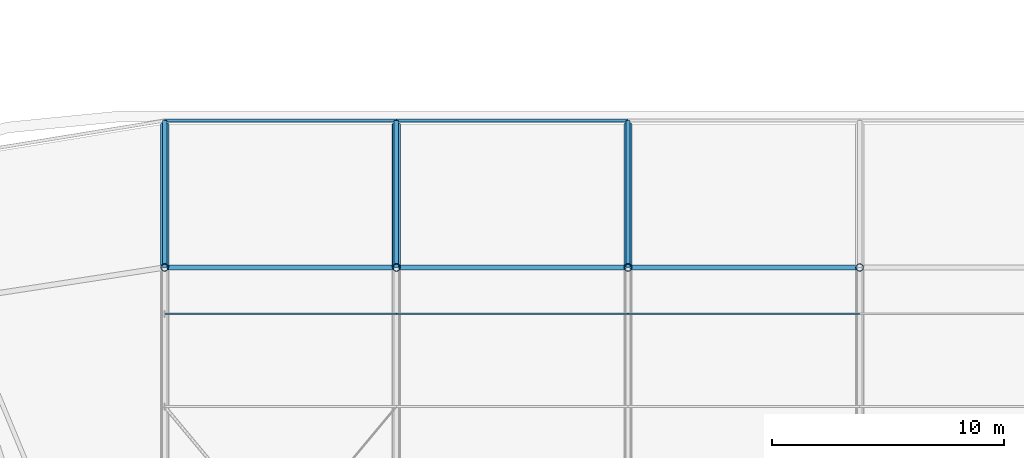
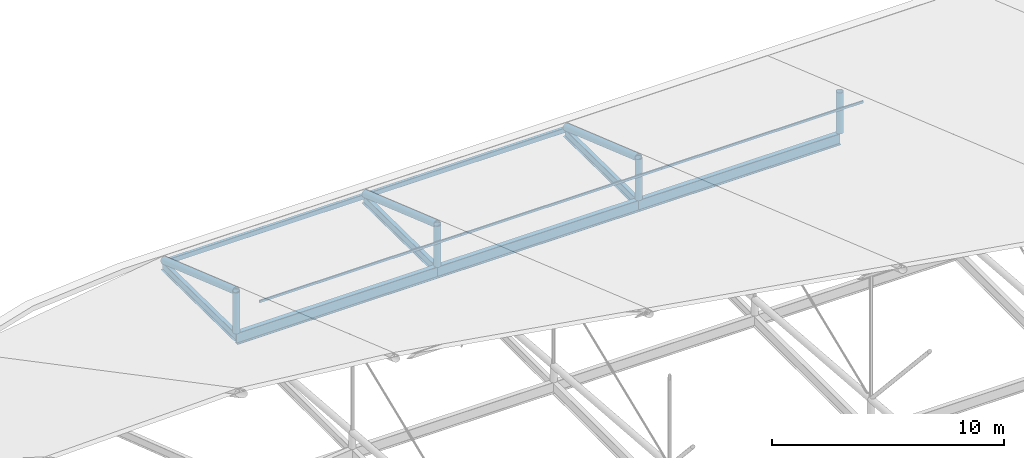
# One storey, part 52 of 93: 10 members, 8 beams.
"""IFC4 building model written with IfcOpenShell, lengths in metres."""

import ifcopenshell
import ifcopenshell.guid

model = None  # the IFC model being written
_history = None  # IfcOwnerHistory: only IFC2X3 demands one
_inside = {}  # id of a spatial element -> (the spatial element, [elements in it])
_under = {}  # id of a project, library or spatial element -> (it, [spatial elements below it])
_declared = {}  # id of a project -> (the project, [libraries it declares])
_typed = {}  # id of a type object -> (the type object, [elements of that type])
_made_of = {}  # id of a material, layer set ... -> (it, [elements and type objects made of it])


def new_model(schema):
    """Start an empty IFC model of exactly this schema.

    Asked for "IFC4X3", IfcOpenShell would pick the latest addendum, in which some entities
    have other attributes; the version numbers below select the first issue.
    IFC2X3 requires an IfcOwnerHistory on every rooted entity: one is made here for all.
    """
    global model, _history
    if schema == "IFC4X3":
        model = ifcopenshell.file(schema_version=(4, 3, 0, 0))
    else:
        model = ifcopenshell.file(schema=schema)
    _inside.clear()
    _under.clear()
    _declared.clear()
    _typed.clear()
    _made_of.clear()
    _history = None
    if model.schema == "IFC2X3":
        org = make("IfcOrganization", Name="unknown")
        user = make(
            "IfcPersonAndOrganization",
            ThePerson=make("IfcPerson", FamilyName="unknown"),
            TheOrganization=org,
        )
        app = make(
            "IfcApplication",
            ApplicationDeveloper=org,
            Version="unknown",
            ApplicationFullName="unknown",
            ApplicationIdentifier="unknown",
        )
        _history = make(
            "IfcOwnerHistory",
            OwningUser=user,
            OwningApplication=app,
            ChangeAction="ADDED",
            CreationDate=0,
        )
    return model


def make(cls, **values):
    """One entity of the class cls with the attributes given. An attribute that is None is left unset."""
    return model.create_entity(
        cls, **{name: value for name, value in values.items() if value is not None}
    )


def rooted(cls, **values):
    """An entity with a GlobalId (a new one), such as an element, a storey or a relation."""
    return make(cls, GlobalId=ifcopenshell.guid.new(), OwnerHistory=_history, **values)


def si_unit(unit_type, name, prefix=None):
    """IfcSIUnit, for example si_unit("LENGTHUNIT", "METRE", prefix="MILLI")."""
    return make("IfcSIUnit", UnitType=unit_type, Prefix=prefix, Name=name)


def derived_unit(unit_type, elements):
    """IfcDerivedUnit: a product of units, each with its exponent."""
    return make(
        "IfcDerivedUnit",
        Elements=[
            make("IfcDerivedUnitElement", Unit=unit, Exponent=power)
            for unit, power in elements
        ],
        UnitType=unit_type,
    )


def assignment(units):
    """IfcUnitAssignment: the units of a project."""
    return None if units is None else make("IfcUnitAssignment", Units=units)


def point(xyz):
    """IfcCartesianPoint."""
    return None if xyz is None else make("IfcCartesianPoint", Coordinates=xyz)


def direction(xyz):
    """IfcDirection."""
    return None if xyz is None else make("IfcDirection", DirectionRatios=xyz)


def frame(location, z_axis=None, x_axis=None):
    """IfcAxis2Placement3D, a coordinate frame: its origin and axes. An axis left out is left unset."""
    return make(
        "IfcAxis2Placement3D",
        Location=point(location),
        Axis=direction(z_axis),
        RefDirection=direction(x_axis),
    )


def frame_2d(location, x_axis=None):
    """IfcAxis2Placement2D, a coordinate frame in the plane: its origin and x axis."""
    return make(
        "IfcAxis2Placement2D", Location=point(location), RefDirection=direction(x_axis)
    )


def origin():
    """The frame at (0, 0, 0) with its axes left unset."""
    return frame((0.0, 0.0, 0.0))


def origin_2d_with_axis():
    """The frame at (0, 0) in the plane with the x axis (1, 0) written out."""
    return frame_2d((0.0, 0.0), x_axis=(1.0, 0.0))


def place(relative_to, where):
    """IfcLocalPlacement: puts the frame where relative to a parent placement (None: the world)."""
    return make(
        "IfcLocalPlacement", PlacementRelTo=relative_to, RelativePlacement=where
    )


def context(
    kind, dimensions, precision=None, world=None, true_north=None, identifier=None
):
    """IfcGeometricRepresentationContext, for example the 3D "Model" context."""
    return make(
        "IfcGeometricRepresentationContext",
        ContextIdentifier=identifier,
        ContextType=kind,
        CoordinateSpaceDimension=dimensions,
        Precision=precision,
        WorldCoordinateSystem=world,
        TrueNorth=true_north,
    )


def subcontext(parent, identifier, kind, view, scale=None):
    """IfcGeometricRepresentationSubContext, for example "Body" below "Model"."""
    return make(
        "IfcGeometricRepresentationSubContext",
        ContextIdentifier=identifier,
        ContextType=kind,
        ParentContext=parent,
        TargetScale=scale,
        TargetView=view,
    )


def project(units=None, contexts=None):
    """IfcProject with its units and contexts."""
    return rooted(
        "IfcProject",
        Name="project",
        RepresentationContexts=contexts,
        UnitsInContext=assignment(units),
    )


def spatial(cls, under=None, at=None, **own):
    """A site, building, storey or space (cls), placed at a placement, below another one or the project."""
    s = rooted(cls, ObjectPlacement=at, **own)
    if under is not None:
        _under.setdefault(under.id(), (under, []))[1].append(s)
    return s


def profile(cls, at=None, kind="AREA", **sizes):
    """A parametric profile (cls). Its sizes go by their IFC names, for example OverallWidth=200.0."""
    return make(cls, ProfileType=kind, Position=at, **sizes)


def hollow_rectangle(**sizes):
    """IfcRectangleHollowProfileDef."""
    return profile("IfcRectangleHollowProfileDef", **sizes)


def hollow_circle(**sizes):
    """IfcCircleHollowProfileDef."""
    return profile("IfcCircleHollowProfileDef", **sizes)


def i_section(**sizes):
    """IfcIShapeProfileDef."""
    return profile("IfcIShapeProfileDef", **sizes)


def extrude(swept, where, along, depth):
    """IfcExtrudedAreaSolid: the profile swept, set in the frame where, extruded along a direction by depth."""
    return make(
        "IfcExtrudedAreaSolid",
        SweptArea=swept,
        Position=where,
        ExtrudedDirection=direction(along),
        Depth=depth,
    )


def shape(context_of_items, identifier, shape_type, items):
    """IfcShapeRepresentation: the items that make up one representation, for example the "Body"."""
    return make(
        "IfcShapeRepresentation",
        ContextOfItems=context_of_items,
        RepresentationIdentifier=identifier,
        RepresentationType=shape_type,
        Items=items,
    )


def material(Name=None, Category=None):
    """IfcMaterial."""
    return make("IfcMaterial", Name=Name, Category=Category)


def material_profile(
    of_material, cross_section, Name=None, Category=None, Priority=None
):
    """IfcMaterialProfile: a cross section and its material."""
    return make(
        "IfcMaterialProfile",
        Name=Name,
        Material=of_material,
        Profile=cross_section,
        Priority=Priority,
        Category=Category,
    )


def profile_set(profiles, Name=None, composite=None):
    """IfcMaterialProfileSet."""
    return make(
        "IfcMaterialProfileSet",
        Name=Name,
        MaterialProfiles=profiles,
        CompositeProfile=composite,
    )


def made_of(thing, what):
    """Note that an element or type object is made of a material, layer set ...; save() writes the relation."""
    if what is not None:
        _made_of.setdefault(what.id(), (what, []))[1].append(thing)
    return thing


def type_object(cls, material=None, **own):
    """A type object (cls), such as IfcWallType, which elements share."""
    return made_of(rooted(cls, **own), material)


def element(
    cls,
    number,
    at=None,
    inside=None,
    cuts=None,
    type_object=None,
    material=None,
    context=None,
    identifier="Body",
    shape_type=None,
    held_by="IfcProductDefinitionShape",
    body=None,
    shapes=None,
    **own,
):
    """One element of the class cls, such as IfcWall. Its Tag is "e" and its number.

    at: its placement. inside: the storey or other place that contains it. cuts: it is an
    opening in that element (IfcRelVoidsElement). A single representation is given by context,
    identifier, shape_type and body (its items); several are given by shapes. held_by: the class
    of the entity that holds the representations. save() writes the other relations.
    """
    e = rooted(cls, Tag="e%d" % number, ObjectPlacement=at, **own)
    if body is not None:
        shapes = [shape(context, identifier, shape_type, body)]
    if shapes is not None:
        e.Representation = make(held_by, Representations=shapes)
    if inside is not None:
        _inside.setdefault(inside.id(), (inside, []))[1].append(e)
    if cuts is not None:
        rooted(
            "IfcRelVoidsElement", RelatingBuildingElement=cuts, RelatedOpeningElement=e
        )
    if type_object is not None:
        _typed.setdefault(type_object.id(), (type_object, []))[1].append(e)
    return made_of(e, material)


def aggregate(whole, parts):
    """IfcRelAggregates: a whole, such as a stair, and the parts it consists of."""
    return rooted("IfcRelAggregates", RelatingObject=whole, RelatedObjects=parts)


def save(model, path):
    """Write the relations noted so far, then the file.

    IfcRelAggregates (storeys below a building ...), IfcRelContainedInSpatialStructure (elements
    in a storey), IfcRelDefinesByType, IfcRelAssociatesMaterial and IfcRelDeclares: one each for
    every whole, place, type object, material and project.
    """
    for whole, parts in _under.values():
        aggregate(whole, parts)
    for where, things in _inside.values():
        rooted(
            "IfcRelContainedInSpatialStructure",
            RelatedElements=things,
            RelatingStructure=where,
        )
    for kind, things in _typed.values():
        rooted("IfcRelDefinesByType", RelatedObjects=things, RelatingType=kind)
    for what, things in _made_of.values():
        rooted("IfcRelAssociatesMaterial", RelatedObjects=things, RelatingMaterial=what)
    for by, libraries in _declared.values():
        rooted("IfcRelDeclares", RelatingContext=by, RelatedDefinitions=libraries)
    model.write(path)


model = new_model("IFC4")

# Units and contexts
model_context = context("Model", 3, precision=1e-05, world=origin(), true_north=direction((0.0, 1.0)))
body_context = subcontext(model_context, "Body", "Model", "MODEL_VIEW")
ifc_project = project(units=[si_unit("LENGTHUNIT", "METRE"), si_unit("AREAUNIT", "SQUARE_METRE"), si_unit("VOLUMEUNIT", "CUBIC_METRE"), si_unit("PLANEANGLEUNIT", "RADIAN"), si_unit("MASSUNIT", "GRAM", prefix="KILO"), derived_unit("THERMALTRANSMITTANCEUNIT", [(si_unit("POWERUNIT", "WATT"), 1), (si_unit("LENGTHUNIT", "METRE"), -2), (si_unit("THERMODYNAMICTEMPERATUREUNIT", "KELVIN"), -1)])], contexts=[model_context])

# Site, building, storey
site_placement = place(None, origin())
site = spatial("IfcSite", under=ifc_project, at=site_placement, CompositionType="ELEMENT")
building_placement = place(site_placement, origin())
building = spatial("IfcBuilding", under=site, at=building_placement, Name="Cinnabar Yard Market Hall", CompositionType="ELEMENT")
storey_placement = place(building_placement, frame((0.0, 0.0, 23.800048828125)))
storey = spatial("IfcBuildingStorey", under=building, at=storey_placement, Name="ROOF", CompositionType="ELEMENT", Elevation=23.800048828125)

# Beams
ifc_material_1 = material(Name="Steel Grade 350 (350 MPa)", Category="steel")
ifc_material_profile_1 = material_profile(ifc_material_1, i_section(OverallWidth=0.22900390625, OverallDepth=0.611572265625, WebThickness=0.011962890625, FlangeThickness=0.01953125, FilletRadius=0.013916015625, at=origin_2d_with_axis()), Name="610UB125")
ifc_profile_set_1 = profile_set([ifc_material_profile_1], Name="Steel Grade 350 (350 MPa)")
beam_type_1 = type_object("IfcBeamType", Name="BM-B01E", PredefinedType="BEAM", material=ifc_profile_set_1)
for number, where, z_axis, x_axis, name in (
    (1, (86.0, 74.0, -9.705810546875), (1.0, 0.0, 0.0), (0.0, 1.0, 0.0), "North Springer Girder 00357"),
    (2, (96.0, 74.0, -9.705810546875), (1.0, 0.0, 0.0), (0.0, 1.0, 0.0), "North Springer Girder 00359"),
    (3, (106.0, 74.0, -9.705810546875), (1.0, 0.0, 0.0), (0.0, 1.0, 0.0), "North Springer Girder 00361"),
):
    element("IfcBeam", number, at=place(storey_placement, frame(where, z_axis=z_axis, x_axis=x_axis)), inside=storey, type_object=beam_type_1, Name=name, PredefinedType="BEAM", context=body_context, shape_type="SweptSolid", body=[
        extrude(i_section(OverallWidth=0.22900390625, OverallDepth=0.611572265625, WebThickness=0.011962890625, FlangeThickness=0.01953125, FilletRadius=0.013916015625, at=origin_2d_with_axis()), origin(), (0.0, 0.0, 1.0), 10.0),
    ])
ifc_material_2 = material(Name="Steel Grade 300 (300 MPa)", Category="steel")
ifc_material_profile_2 = material_profile(ifc_material_2, i_section(OverallWidth=0.19091796875, OverallDepth=0.46044921875, WebThickness=0.010009765625, FlangeThickness=0.01611328125, FilletRadius=0.011474609375, at=origin_2d_with_axis()), Name="460UB82.1")
ifc_profile_set_2 = profile_set([ifc_material_profile_2], Name="Steel Grade 300 (300 MPa)")
beam_type_2 = type_object("IfcBeamType", Name="BM-RF02E", PredefinedType="BEAM", material=ifc_profile_set_2)
for number, where, z_axis, x_axis, name in (
    (4, (86.0, 74.0, -9.630126953125), (0.0, 0.999920245484, -0.012629436656), (-1.0, 0.0, 0.0), "North Chhajja Cantilever Rafter 00523"),
    (5, (96.0, 74.0, -9.630126953125), (0.0, 0.999920245484, -0.012629436656), (-1.0, 0.0, 0.0), "North Chhajja Cantilever Rafter 00527"),
    (6, (106.0, 74.0, -9.630126953125), (0.0, 0.999920245484, -0.012629436656), (-1.0, 0.0, 0.0), "North Chhajja Cantilever Rafter 00531"),
):
    element("IfcBeam", number, at=place(storey_placement, frame(where, z_axis=z_axis, x_axis=x_axis)), inside=storey, type_object=beam_type_2, Name=name, PredefinedType="BEAM", context=body_context, shape_type="SweptSolid", body=[
        extrude(i_section(OverallWidth=0.19091796875, OverallDepth=0.46044921875, WebThickness=0.010009765625, FlangeThickness=0.01611328125, FilletRadius=0.011474609375, at=origin_2d_with_axis()), origin(), (0.0, 0.0, 1.0), 6.340576171875),
    ])
ifc_material_3 = material(Name="Cold-formed steel C350L0", Category="steel")
ifc_material_profile_3 = material_profile(ifc_material_3, hollow_rectangle(XDim=0.14990234375, YDim=0.25, WallThickness=0.009033203125, InnerFilletRadius=0.009033203125, OuterFilletRadius=0.01806640625, at=origin_2d_with_axis()), Name="250x150x9.0RHS")
ifc_profile_set_3 = profile_set([ifc_material_profile_3], Name="Cold-formed steel C350L0")
beam_type_3 = type_object("IfcBeamType", Name="BM-SP01E", PredefinedType="SPANDREL", material=ifc_profile_set_3)
for number, where, z_axis, x_axis, name in (
    (7, (86.0, 80.340087890625, -9.60498046875), (1.0, 0.0, 0.0), (0.0, 1.0, 0.0), "North Eave Fascia 00549"),
    (8, (96.0, 80.340087890625, -9.60498046875), (1.0, 0.0, 0.0), (0.0, 1.0, 0.0), "North Eave Fascia 00551"),
):
    element("IfcBeam", number, at=place(storey_placement, frame(where, z_axis=z_axis, x_axis=x_axis)), inside=storey, type_object=beam_type_3, Name=name, PredefinedType="SPANDREL", context=body_context, shape_type="SweptSolid", body=[
        extrude(hollow_rectangle(XDim=0.14990234375, YDim=0.25, WallThickness=0.009033203125, InnerFilletRadius=0.009033203125, OuterFilletRadius=0.01806640625, at=origin_2d_with_axis()), origin(), (0.0, 0.0, 1.0), 10.0),
    ])

# Members
ifc_material_profile_4 = material_profile(ifc_material_3, hollow_rectangle(XDim=0.074951171875, YDim=0.125, WallThickness=0.0048828125, InnerFilletRadius=0.0048828125, OuterFilletRadius=0.010009765625, at=origin_2d_with_axis()), Name="125x75x5.0RHS")
ifc_profile_set_4 = profile_set([ifc_material_profile_4], Name="Cold-formed steel C350L0")
member_type_1 = type_object("IfcMemberType", Name="MB-PU04", PredefinedType="PURLIN", material=ifc_profile_set_4)
for number, where, z_axis, x_axis, name in (
    (9, (86.0, 72.0, -6.5859375), (1.0, 0.0, 0.0), (0.0, 1.0, 0.0), "Hall Roof Purlin Y72 X86"),
    (10, (96.0, 72.0, -6.5859375), (1.0, 0.0, 0.0), (0.0, 1.0, 0.0), "Hall Roof Purlin Y72 X96"),
    (11, (106.0, 72.0, -6.5859375), (1.0, 0.0, 0.0), (0.0, 1.0, 0.0), "Hall Roof Purlin Y72 X106"),
):
    element("IfcMember", number, at=place(storey_placement, frame(where, z_axis=z_axis, x_axis=x_axis)), inside=storey, type_object=member_type_1, Name=name, PredefinedType="PURLIN", context=body_context, shape_type="SweptSolid", body=[
        extrude(hollow_rectangle(XDim=0.074951171875, YDim=0.125, WallThickness=0.0048828125, InnerFilletRadius=0.0048828125, OuterFilletRadius=0.010009765625, at=origin_2d_with_axis()), origin(), (0.0, 0.0, 1.0), 10.0),
    ])
ifc_material_4 = material(Name="Spotted-gum glulam-clad steel Grade 350 (350 MPa)", Category="steel")
ifc_material_profile_5 = material_profile(ifc_material_4, hollow_circle(Radius=0.161865234375, WallThickness=0.009521484375, at=origin_2d_with_axis()), Name="323.9x9.5CHS")
ifc_profile_set_5 = profile_set([ifc_material_profile_5], Name="Spotted-gum glulam-clad steel Grade 350 (350 MPa)")
member_type_2 = type_object("IfcMemberType", Name="MB-ST01E", PredefinedType="STRUT", material=ifc_profile_set_5)
for number, where, z_axis, x_axis, name in (
    (12, (86.0, 74.0, -9.400146484375), (0.0, 0.0, 1.0), (1.0, 0.0, 0.0), "Truss Bearing Post 86-74"),
    (13, (96.0, 74.0, -9.400146484375), (0.0, 0.0, 1.0), (1.0, 0.0, 0.0), "Truss Bearing Post 96-74"),
    (14, (106.0, 74.0, -9.400146484375), (0.0, 0.0, 1.0), (1.0, 0.0, 0.0), "Truss Bearing Post 106-74"),
    (15, (116.0, 74.0, -9.400146484375), (0.0, 0.0, 1.0), (1.0, 0.0, 0.0), "Truss Bearing Post 116-74"),
):
    element("IfcMember", number, at=place(storey_placement, frame(where, z_axis=z_axis, x_axis=x_axis)), inside=storey, type_object=member_type_2, Name=name, PredefinedType="STRUT", context=body_context, shape_type="SweptSolid", body=[
        extrude(hollow_circle(Radius=0.161865234375, WallThickness=0.009521484375, at=origin_2d_with_axis()), origin(), (0.0, 0.0, 1.0), 2.158203125),
    ])
ifc_material_profile_6 = material_profile(ifc_material_3, hollow_circle(Radius=0.177734375, WallThickness=0.0126953125, at=origin_2d_with_axis()), Name="355.6x12.7CHS")
ifc_profile_set_6 = profile_set([ifc_material_profile_6], Name="Cold-formed steel C350L0")
member_type_3 = type_object("IfcMemberType", Name="MB-TC01E", PredefinedType="CHORD", material=ifc_profile_set_6)
for number, where, z_axis, x_axis, name in (
    (16, (86.0, 74.0, -7.241943359375), (0.0, 0.944416495302, -0.328751400609), (-1.0, 0.0, 0.0), "North Sloped Eave Rafter 86"),
    (17, (96.0, 74.0, -7.241943359375), (0.0, 0.944416495302, -0.328751400609), (-1.0, 0.0, 0.0), "North Sloped Eave Rafter 96"),
    (18, (106.0, 74.0, -7.241943359375), (0.0, 0.944416495302, -0.328751400609), (-1.0, 0.0, 0.0), "North Sloped Eave Rafter 106"),
):
    element("IfcMember", number, at=place(storey_placement, frame(where, z_axis=z_axis, x_axis=x_axis)), inside=storey, type_object=member_type_3, Name=name, PredefinedType="CHORD", context=body_context, shape_type="SweptSolid", body=[
        extrude(hollow_circle(Radius=0.177734375, WallThickness=0.0126953125, at=origin_2d_with_axis()), origin(), (0.0, 0.0, 1.0), 6.56494140625),
    ])

save(model, "model.ifc")
